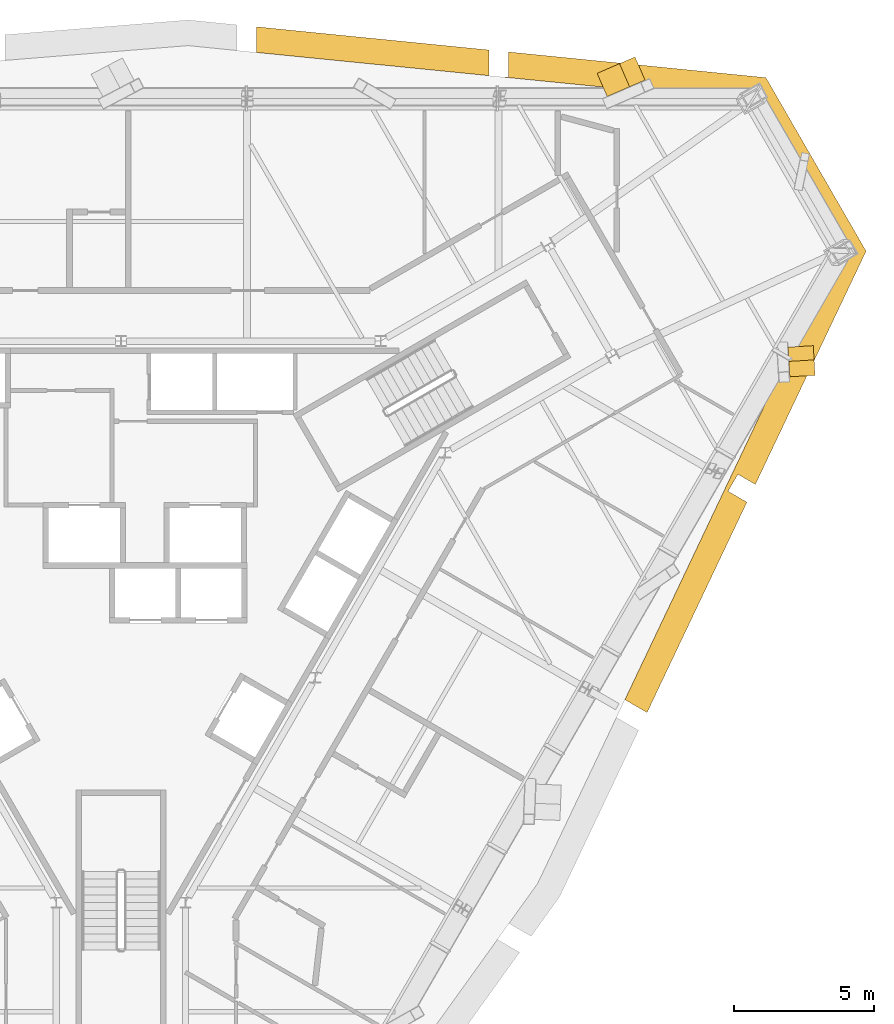
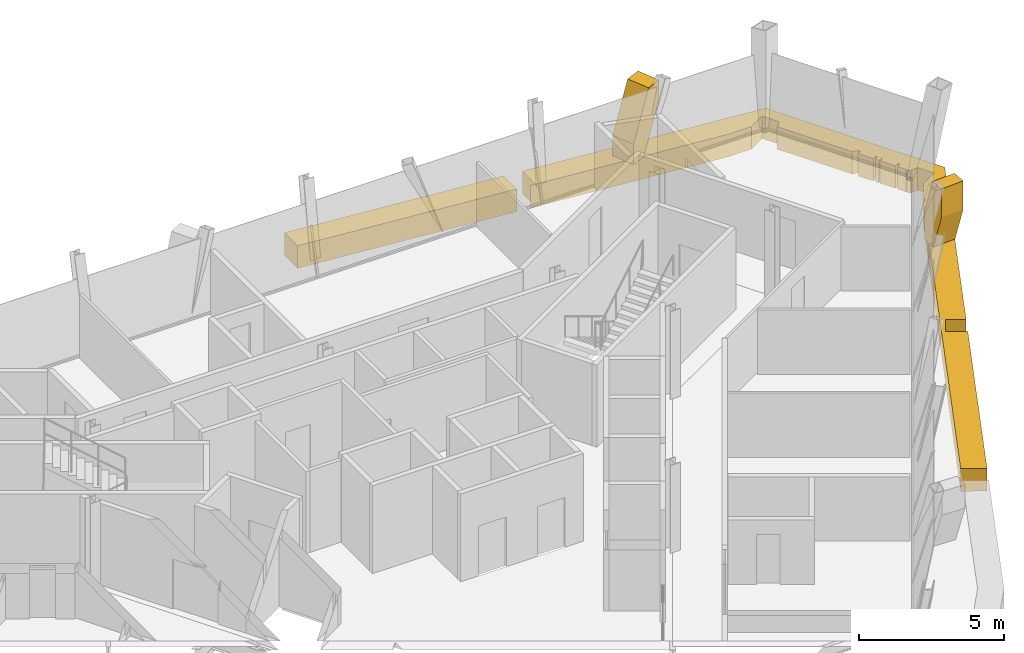
# One storey, part 13 of 13: 4 coverings.
"""IFC4 building model written with IfcOpenShell, lengths in metres."""

from ifc_helpers import new_model, si_unit, direction, frame, origin, place, context, subcontext, project, spatial, polyline, outline, extrude, material, layer, layer_set, type_object, element, save


model = new_model("IFC4")

# Units and contexts
model_context = context("Model", 3, precision=1e-05, world=origin(), true_north=direction((0.0, 1.0)))
body_context = subcontext(model_context, "Body", "Model", "MODEL_VIEW")
ifc_project = project(units=[si_unit("LENGTHUNIT", "METRE"), si_unit("AREAUNIT", "SQUARE_METRE"), si_unit("VOLUMEUNIT", "CUBIC_METRE"), si_unit("PLANEANGLEUNIT", "RADIAN"), si_unit("MASSUNIT", "GRAM", prefix="KILO")], contexts=[model_context])

# Site, building, storey
site_placement = place(None, origin())
site = spatial("IfcSite", under=ifc_project, at=site_placement, CompositionType="ELEMENT")
building_placement = place(site_placement, origin())
building = spatial("IfcBuilding", under=site, at=building_placement, Name="Verrane Prism Tower", CompositionType="ELEMENT")
storey_placement = place(building_placement, frame((0.0, 0.0, 243.39990234375)))
storey = spatial("IfcBuildingStorey", under=building, at=storey_placement, Name="L61", CompositionType="ELEMENT", Elevation=243.39990234375)

# Coverings
ifc_material_1 = material(Name="Warm limestone cladding", Category="masonry")
ifc_layer_1 = layer(ifc_material_1, 0.89990234375)
ifc_layer_set_1 = layer_set([ifc_layer_1], Name="Stone brace fin 900")
covering_type_1 = type_object("IfcCoveringType", Name="Stone brace fin 900", PredefinedType="CLADDING", material=ifc_layer_set_1)
covering_1_placement = place(storey_placement, frame((17.151123046875, 17.12939453125, 0.0), z_axis=(0.0, 0.0, 1.0), x_axis=(0.917662527367, 0.397360649619, 0.0)))
element("IfcCovering", 1, at=covering_1_placement, inside=storey, type_object=covering_type_1, Name="Stone brace fin N1 L61", PredefinedType="CLADDING", context=body_context, shape_type="SweptSolid", body=[
    extrude(outline(polyline([(1.47119140625, 2.75), (0.870361328125, 2.75), (0.0, 0.859619140625), (0.0, 0.0), (0.59521484375, 0.0), (1.47119140625, 1.9033203125), (1.47119140625, 2.75)])), frame((0.0, 0.449951171875, 0.0), z_axis=(0.0, -1.0, 0.0), x_axis=(1.0, 0.0, 0.0)), (0.0, 0.0, 1.0), 0.89990234375),
])
covering_2_placement = place(storey_placement, frame((24.227294921875, 7.80859375, 0.0), z_axis=(0.0, 0.0, 1.0), x_axis=(0.059533607458, -0.998226301789, 0.0)))
element("IfcCovering", 2, at=covering_2_placement, inside=storey, type_object=covering_type_1, Name="Stone brace fin SE5 L61", PredefinedType="CLADDING", context=body_context, shape_type="SweptSolid", body=[
    extrude(outline(polyline([(1.05810546875, 2.75), (0.50830078125, 2.75), (0.0, 1.215087890625), (0.0, 0.0), (0.5458984375, 0.0), (1.05810546875, 1.5478515625), (1.05810546875, 2.75)])), frame((0.0, 0.449951171875, 0.0), z_axis=(0.0, -1.0, 0.0), x_axis=(1.0, 0.0, 0.0)), (0.0, 0.0, 1.0), 0.89990234375),
])
ifc_material_2 = material(Name="Warm limestone cladding", Category="masonry")
ifc_layer_2 = layer(ifc_material_2, 0.449951171875)
ifc_layer_set_2 = layer_set([ifc_layer_2], Name="Stone spandrel band 450")
covering_type_2 = type_object("IfcCoveringType", Name="Stone spandrel band 450", PredefinedType="CLADDING", material=ifc_layer_set_2)
covering_3_placement = place(storey_placement, frame((0.0, 0.0, -0.949951171875)))
element("IfcCovering", 3, at=covering_3_placement, inside=storey, type_object=covering_type_2, Name="Stone spandrel band L61 part 2", PredefinedType="CLADDING", context=body_context, shape_type="SweptSolid", body=[
    extrude(outline(polyline([(13.809814453125, 18.304931640625), (13.809814453125, 17.416259765625), (13.62890625, 17.416259765625), (13.62841796875, 17.40869140625), (21.0966796875, 16.663330078125), (22.0009765625, 16.663330078125), (22.637451171875, 17.03076171875), (22.96728515625, 16.459228515625), (22.948486328125, 16.4482421875), (22.84033203125, 16.259033203125), (22.767578125, 16.217041015625), (24.263916015625, 13.625), (24.481201171875, 13.580322265625), (24.471923828125, 13.535888671875), (24.49658203125, 13.550048828125), (24.5224609375, 13.50537109375), (24.4580078125, 13.46826171875), (24.45751953125, 13.466064453125), (24.455078125, 13.466552734375), (24.38037109375, 13.42333984375), (24.685791015625, 12.89453125), (24.82763671875, 12.9765625), (24.86865234375, 12.905517578125), (24.726806640625, 12.823486328125), (24.797607421875, 12.700927734375), (24.939453125, 12.782958984375), (24.96533203125, 12.73828125), (24.8232421875, 12.65625), (25.12841796875, 12.127685546875), (25.2705078125, 12.20947265625), (25.3115234375, 12.138427734375), (25.16943359375, 12.056396484375), (25.3408203125, 11.760009765625), (25.366943359375, 11.7451171875), (25.358154296875, 11.729736328125), (25.427978515625, 11.608642578125), (25.49951171875, 11.64990234375), (25.718505859375, 11.64990234375), (25.7373046875, 11.660888671875), (26.0673828125, 11.089111328125), (25.431640625, 10.72216796875), (24.94580078125, 9.880859375), (24.99169921875, 9.86083984375), (24.949462890625, 9.764892578125), (24.89306640625, 9.78955078125), (24.819580078125, 9.662109375), (24.52001953125, 9.03076171875), (24.610107421875, 8.9912109375), (24.566162109375, 8.891357421875), (24.47314453125, 8.93212890625), (24.390380859375, 8.75830078125), (24.46630859375, 8.714599609375), (24.41162109375, 8.61962890625), (24.34326171875, 8.658935546875), (23.96337890625, 7.858642578125), (23.970458984375, 7.8544921875), (23.919921875, 7.766845703125), (23.880859375, 7.6845703125), (23.880859375, 7.682861328125), (23.8798828125, 7.682861328125), (17.961181640625, -4.78515625), (18.751708984375, -5.241455078125), (22.31103515625, 2.25634765625), (21.6376953125, 2.64501953125), (21.98779296875, 3.251220703125), (22.6123046875, 2.890869140625), (26.55859375, 11.20361328125), (22.9873046875, 17.388916015625), (13.809814453125, 18.304931640625)])), origin(), (0.0, 0.0, 1.0), 0.949951171875),
])
covering_4_placement = place(storey_placement, frame((0.0, 0.0, -0.949951171875)))
element("IfcCovering", 4, at=covering_4_placement, inside=storey, type_object=covering_type_2, Name="Stone spandrel band L61 part 8", PredefinedType="CLADDING", context=body_context, shape_type="SweptSolid", body=[
    extrude(outline(polyline([(4.836669921875, 18.2861328125), (13.109619140625, 17.46044921875), (13.109619140625, 18.374755859375), (4.836669921875, 19.200439453125), (4.836669921875, 18.2861328125)])), origin(), (0.0, 0.0, 1.0), 0.949951171875),
])

save(model, "model.ifc")
